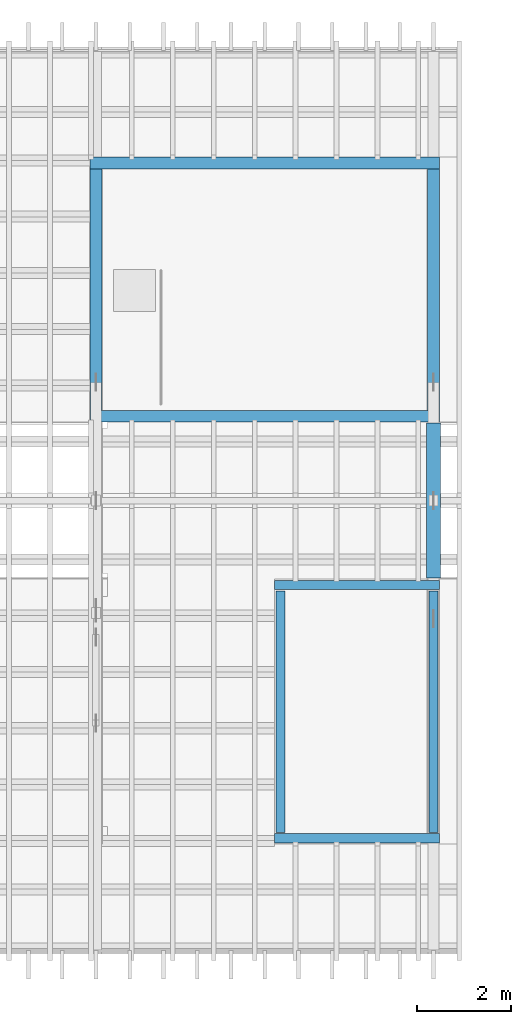
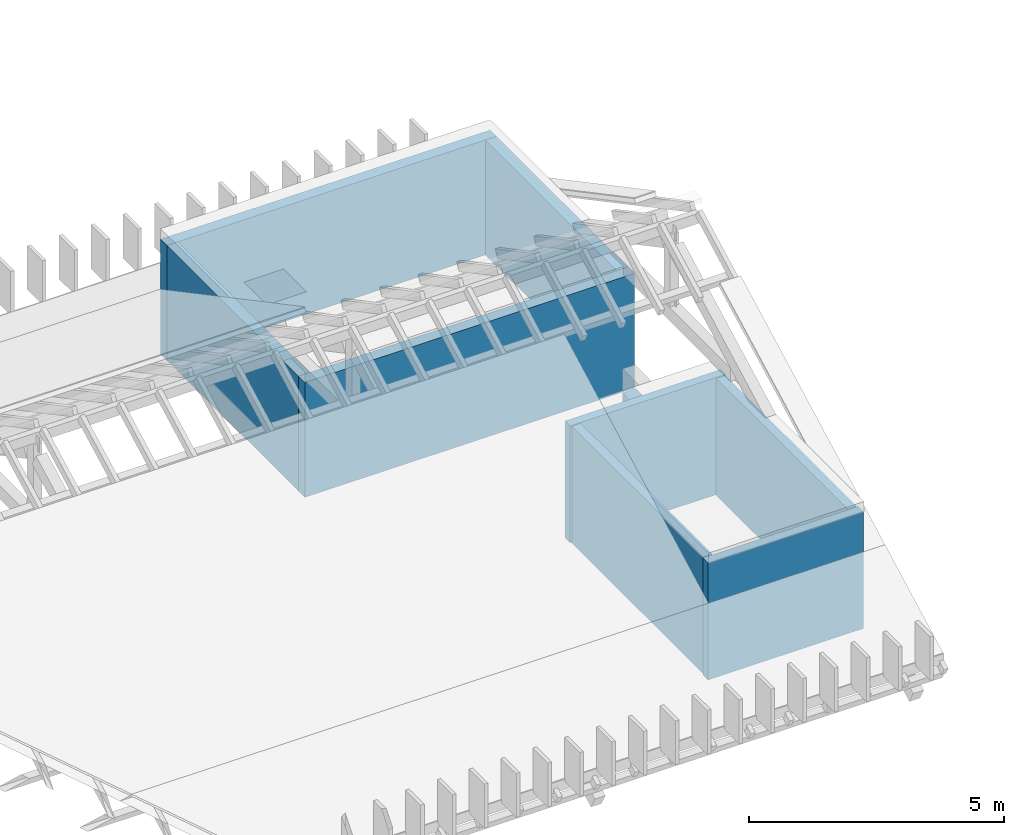
# One storey, part 18 of 28: 9 walls.
"""IFC4 building model written with IfcOpenShell, lengths in metres."""

from ifc_helpers import new_model, si_unit, direction, frame, frame_2d, origin, place, context, subcontext, project, spatial, rectangle, extrude, material, layer, layer_set, type_object, element, save


model = new_model("IFC4")

# Units and contexts
model_context = context("Model", 3, precision=1e-05, world=origin(), true_north=direction((0.0, 1.0)))
body_context = subcontext(model_context, "Body", "Model", "MODEL_VIEW")
ifc_project = project(units=[si_unit("LENGTHUNIT", "METRE"), si_unit("AREAUNIT", "SQUARE_METRE"), si_unit("VOLUMEUNIT", "CUBIC_METRE"), si_unit("PLANEANGLEUNIT", "RADIAN"), si_unit("MASSUNIT", "GRAM", prefix="KILO")], contexts=[model_context])

# Site, building, storey
site_placement = place(None, origin())
site = spatial("IfcSite", under=ifc_project, at=site_placement, CompositionType="ELEMENT")
building_placement = place(site_placement, origin())
building = spatial("IfcBuilding", under=site, at=building_placement, Name="Mazhai Court Health Centre", CompositionType="ELEMENT")
storey_placement = place(building_placement, frame((0.0, 0.0, 18.0)))
storey = spatial("IfcBuildingStorey", under=building, at=storey_placement, Name="RF", CompositionType="ELEMENT", Elevation=18.0)

# Walls
ifc_material_1 = material(Name="Concrete M40", Category="concrete")
ifc_layer_1 = layer(ifc_material_1, 0.25)
ifc_layer_set_1 = layer_set([ifc_layer_1], Name="RC HEAD-HOUSE WALL 250 M40")
wall_type_1 = type_object("IfcWallType", Name="RC HEAD-HOUSE WALL 250 M40", PredefinedType="SHEAR", material=ifc_layer_set_1)
for number, where, z_axis, x_axis, name in (
    (1, (121.27490234375, 22.39990234375, 0.0), (0.0, 0.0, 1.0), (1.0, 0.0, 0.0), "core-C7-head-house-w0"),
    (2, (121.27490234375, 27.800048828125, 0.0), (0.0, 0.0, 1.0), (1.0, 0.0, 0.0), "core-C7-head-house-w1"),
):
    element("IfcWall", number, at=place(storey_placement, frame(where, z_axis=z_axis, x_axis=x_axis)), inside=storey, type_object=wall_type_1, Name=name, PredefinedType="SHEAR", context=body_context, shape_type="SweptSolid", body=[
        extrude(rectangle(XDim=7.4501953125, YDim=0.25, at=frame_2d((3.72509765625, 0.0))), origin(), (0.0, 0.0, 1.0), 2.75),
    ])
for number, where, z_axis, x_axis, name in (
    (3, (121.39990234375, 22.52490234375, 0.0), (0.0, 0.0, 1.0), (0.0, 1.0, 0.0), "core-C7-head-house-w2"),
    (4, (128.60009765625, 22.52490234375, 0.0), (0.0, 0.0, 1.0), (0.0, 1.0, 0.0), "core-C7-head-house-w3"),
):
    element("IfcWall", number, at=place(storey_placement, frame(where, z_axis=z_axis, x_axis=x_axis)), inside=storey, type_object=wall_type_1, Name=name, PredefinedType="SHEAR", context=body_context, shape_type="SweptSolid", body=[
        extrude(rectangle(XDim=5.150146484375, YDim=0.25, at=frame_2d((2.5751953125, 0.0))), origin(), (0.0, 0.0, 1.0), 2.75),
    ])
ifc_material_2 = material(Name="Concrete M40", Category="concrete")
ifc_layer_2 = layer(ifc_material_2, 0.199951171875)
ifc_layer_set_2 = layer_set([ifc_layer_2], Name="RC SHAFT WALL 200 M40")
wall_type_2 = type_object("IfcWallType", Name="RC SHAFT WALL 200 M40", PredefinedType="SHEAR", material=ifc_layer_set_2)
for number, where, z_axis, x_axis, name in (
    (5, (125.2099609375, 13.39990234375, -0.300048828125), (0.0, 0.0, 1.0), (1.0, 0.0, 0.0), "core-C7-overrun-w0"),
    (6, (125.2099609375, 18.800048828125, -0.300048828125), (0.0, 0.0, 1.0), (1.0, 0.0, 0.0), "core-C7-overrun-w1"),
):
    element("IfcWall", number, at=place(storey_placement, frame(where, z_axis=z_axis, x_axis=x_axis)), inside=storey, type_object=wall_type_2, Name=name, PredefinedType="SHEAR", context=body_context, shape_type="SweptSolid", body=[
        extrude(rectangle(XDim=3.51513671875, YDim=0.199951171875, at=frame_2d((1.757568359375, 0.0))), origin(), (0.0, 0.0, 1.0), 2.799072265625),
    ])
for number, where, z_axis, x_axis, name in (
    (7, (125.3349609375, 13.52490234375, -0.300048828125), (0.0, 0.0, 1.0), (0.0, 1.0, 0.0), "core-C7-overrun-w2"),
    (8, (128.60009765625, 13.52490234375, -0.300048828125), (0.0, 0.0, 1.0), (0.0, 1.0, 0.0), "core-C7-overrun-w3"),
):
    element("IfcWall", number, at=place(storey_placement, frame(where, z_axis=z_axis, x_axis=x_axis)), inside=storey, type_object=wall_type_2, Name=name, PredefinedType="SHEAR", context=body_context, shape_type="SweptSolid", body=[
        extrude(rectangle(XDim=5.150146484375, YDim=0.199951171875, at=frame_2d((2.5751953125, 0.0))), origin(), (0.0, 0.0, 1.0), 2.799072265625),
    ])
ifc_material_3 = material(Name="Concrete M40", Category="concrete")
ifc_layer_3 = layer(ifc_material_3, 0.300048828125)
ifc_layer_set_3 = layer_set([ifc_layer_3], Name="RC UPSTAND WALL 300 M40")
wall_type_3 = type_object("IfcWallType", Name="RC UPSTAND WALL 300 M40", PredefinedType="SHEAR", material=ifc_layer_set_3)
wall_placement = place(storey_placement, frame((128.60009765625, 18.945068359375, -0.300048828125), z_axis=(0.0, 0.0, 1.0), x_axis=(0.0, 1.0, 0.0)))
element("IfcWall", 9, at=wall_placement, inside=storey, type_object=wall_type_3, Name="Truss upstand TV4E", PredefinedType="SHEAR", context=body_context, shape_type="SweptSolid", body=[
    extrude(rectangle(XDim=3.309814453125, YDim=0.300048828125, at=frame_2d((1.65478515625, 0.0))), origin(), (0.0, 0.0, 1.0), 0.300048828125),
])

save(model, "model.ifc")
